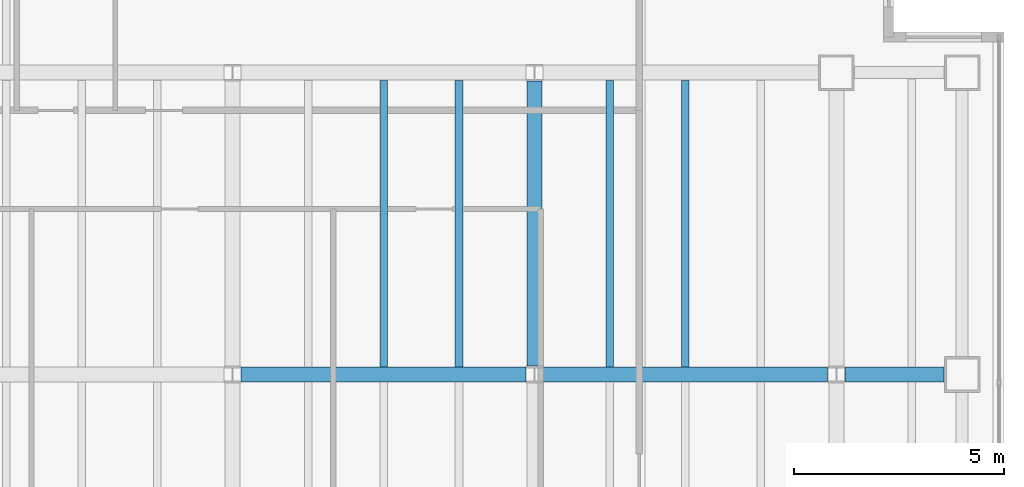
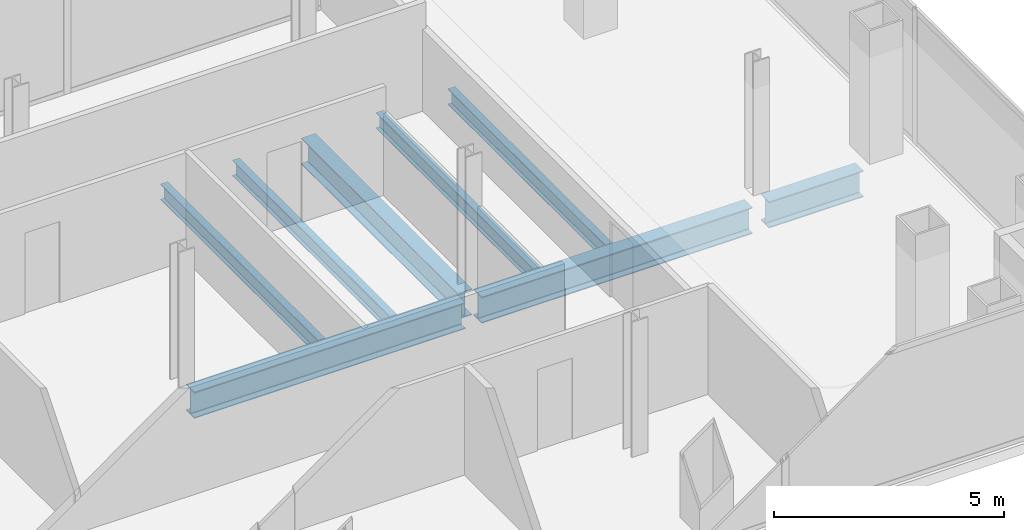
# One storey, part 12 of 24: 8 beams.
"""IFC4 building model written with IfcOpenShell, lengths in metres."""

from ifc_helpers import new_model, si_unit, direction, frame, origin, origin_2d, place, context, subcontext, project, spatial, i_section, extrude, material, material_profile, profile_set, type_object, element, save


model = new_model("IFC4")

# Units and contexts
model_context = context("Model", 3, precision=1e-05, world=origin(), true_north=direction((0.0, 1.0)))
body_context = subcontext(model_context, "Body", "Model", "MODEL_VIEW")
ifc_project = project(units=[si_unit("LENGTHUNIT", "METRE"), si_unit("AREAUNIT", "SQUARE_METRE"), si_unit("VOLUMEUNIT", "CUBIC_METRE"), si_unit("PLANEANGLEUNIT", "RADIAN"), si_unit("MASSUNIT", "GRAM", prefix="KILO")], contexts=[model_context])

# Site, building, storey
site_placement = place(None, origin())
site = spatial("IfcSite", under=ifc_project, at=site_placement, CompositionType="ELEMENT")
building_placement = place(site_placement, origin())
building = spatial("IfcBuilding", under=site, at=building_placement, Name="Cobrela Telecom Tower", CompositionType="ELEMENT")
storey_placement = place(building_placement, frame((0.0, 0.0, 152.25)))
storey = spatial("IfcBuildingStorey", under=building, at=storey_placement, Name="L38", CompositionType="ELEMENT", Elevation=152.25)

# Beams
ifc_material = material(Name="Steel ASTM A992 Grade 50", Category="steel")
ifc_material_profile_1 = material_profile(ifc_material, i_section(OverallWidth=0.35595703125, OverallDepth=0.696044921875, WebThickness=0.015380859375, FlangeThickness=0.024658203125, FilletRadius=0.01806640625, at=origin_2d()), Name="W27X146")
ifc_profile_set_1 = profile_set([ifc_material_profile_1], Name="Steel ASTM A992 Grade 50")
beam_type_1 = type_object("IfcBeamType", Name="BM-GIRD-05", PredefinedType="USERDEFINED", material=ifc_profile_set_1)
for number, where, z_axis, x_axis, name in (
    (1, (29.00439453125, 14.39990234375, -0.617919921875), (1.0, 0.0, 0.0), (0.0, 1.0, 0.0), "L38 Primary Girder X15"),
    (2, (36.20458984375, 14.39990234375, -0.617919921875), (1.0, 0.0, 0.0), (0.0, 1.0, 0.0), "L38 Primary Girder X16"),
):
    element("IfcBeam", number, at=place(storey_placement, frame(where, z_axis=z_axis, x_axis=x_axis)), inside=storey, type_object=beam_type_1, Name=name, ObjectType="GIRDER", PredefinedType="USERDEFINED", context=body_context, shape_type="SweptSolid", body=[
        extrude(i_section(OverallWidth=0.35595703125, OverallDepth=0.696044921875, WebThickness=0.015380859375, FlangeThickness=0.024658203125, FilletRadius=0.01806640625, at=origin_2d()), origin(), (0.0, 0.0, 1.0), 6.791015625),
    ])
beam_1_placement = place(storey_placement, frame((43.404541015625, 14.39990234375, -0.617919921875), z_axis=(1.0, 0.0, 0.0), x_axis=(0.0, 1.0, 0.0)))
element("IfcBeam", 3, at=beam_1_placement, inside=storey, type_object=beam_type_1, Name="L38 Primary Girder X17", ObjectType="GIRDER", PredefinedType="USERDEFINED", context=body_context, shape_type="SweptSolid", body=[
    extrude(i_section(OverallWidth=0.35595703125, OverallDepth=0.696044921875, WebThickness=0.015380859375, FlangeThickness=0.024658203125, FilletRadius=0.01806640625, at=origin_2d()), origin(), (0.0, 0.0, 1.0), 2.365478515625),
])
beam_2_placement = place(storey_placement, frame((36.0, 14.6044921875, -0.617919921875), z_axis=(0.0, 1.0, 0.0), x_axis=(-1.0, 0.0, 0.0)))
element("IfcBeam", 4, at=beam_2_placement, inside=storey, type_object=beam_type_1, Name="L38 Primary Girder Y51", ObjectType="GIRDER", PredefinedType="USERDEFINED", context=body_context, shape_type="SweptSolid", body=[
    extrude(i_section(OverallWidth=0.35595703125, OverallDepth=0.696044921875, WebThickness=0.015380859375, FlangeThickness=0.024658203125, FilletRadius=0.01806640625, at=origin_2d()), origin(), (0.0, 0.0, 1.0), 6.791015625),
])
ifc_material_profile_2 = material_profile(ifc_material, i_section(OverallWidth=0.179931640625, OverallDepth=0.4169921875, WebThickness=0.010986328125, FlangeThickness=0.01806640625, FilletRadius=0.011962890625, at=origin_2d()), Name="W16X57")
ifc_profile_set_2 = profile_set([ifc_material_profile_2], Name="Steel ASTM A992 Grade 50")
beam_type_2 = type_object("IfcBeamType", Name="BM-JOIST-04", PredefinedType="JOIST", material=ifc_profile_set_2)
for number, where, z_axis, x_axis, name in (
    (5, (32.39990234375, 14.5830078125, -0.478515625), (0.0, 1.0, 0.0), (-1.0, 0.0, 0.0), "L38 Secondary Composite Floor Beam J30"),
    (6, (34.199951171875, 14.5830078125, -0.478515625), (0.0, 1.0, 0.0), (-1.0, 0.0, 0.0), "L38 Secondary Composite Floor Beam J32"),
    (7, (37.800048828125, 14.5830078125, -0.478515625), (0.0, 1.0, 0.0), (-1.0, 0.0, 0.0), "L38 Secondary Composite Floor Beam J34"),
    (8, (39.60009765625, 14.5830078125, -0.478515625), (0.0, 1.0, 0.0), (-1.0, 0.0, 0.0), "L38 Secondary Composite Floor Beam J36"),
):
    element("IfcBeam", number, at=place(storey_placement, frame(where, z_axis=z_axis, x_axis=x_axis)), inside=storey, type_object=beam_type_2, Name=name, PredefinedType="JOIST", context=body_context, shape_type="SweptSolid", body=[
        extrude(i_section(OverallWidth=0.179931640625, OverallDepth=0.4169921875, WebThickness=0.010986328125, FlangeThickness=0.01806640625, FilletRadius=0.011962890625, at=origin_2d()), origin(), (0.0, 0.0, 1.0), 6.833984375),
    ])

save(model, "model.ifc")
